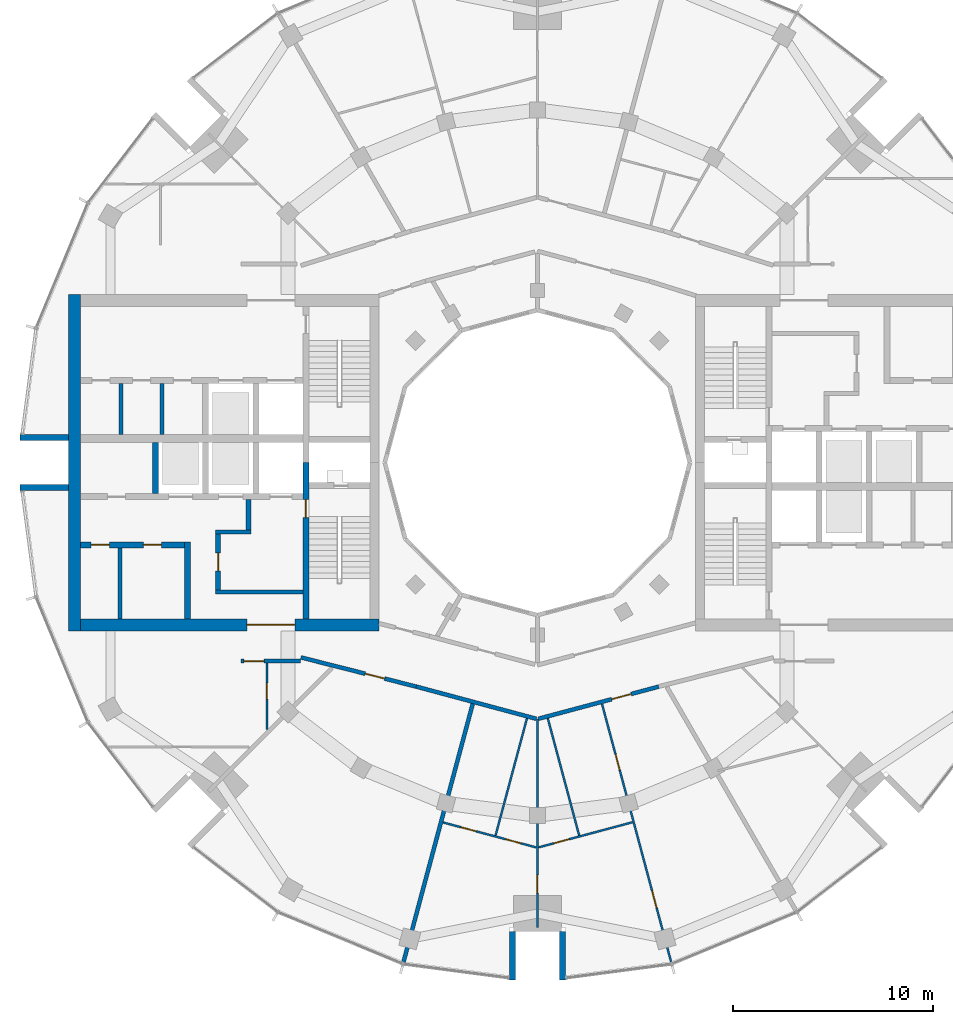
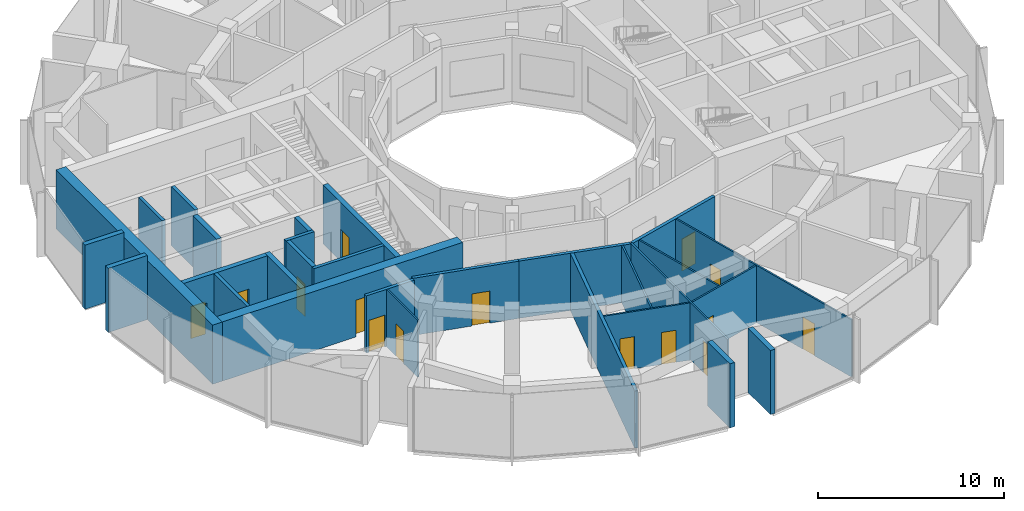
# One storey, part 8 of 15: 29 walls, 15 doors, 15 openings.
"""IFC4 building model written with IfcOpenShell, lengths in metres."""

from ifc_helpers import new_model, si_unit, direction, frame, frame_2d, origin, place, context, subcontext, project, spatial, rectangle, extrude, material, layer, layer_set, type_object, element, fill, save


model = new_model("IFC4")

# Units and contexts
model_context = context("Model", 3, precision=1e-05, world=origin(), true_north=direction((0.0, 1.0)))
body_context = subcontext(model_context, "Body", "Model", "MODEL_VIEW")
ifc_project = project(units=[si_unit("LENGTHUNIT", "METRE"), si_unit("AREAUNIT", "SQUARE_METRE"), si_unit("VOLUMEUNIT", "CUBIC_METRE"), si_unit("PLANEANGLEUNIT", "RADIAN"), si_unit("MASSUNIT", "GRAM", prefix="KILO")], contexts=[model_context])

# Site, building, storey
site_placement = place(None, origin())
site = spatial("IfcSite", under=ifc_project, at=site_placement, CompositionType="ELEMENT")
building_placement = place(site_placement, origin())
building = spatial("IfcBuilding", under=site, at=building_placement, Name="Torre Brocal", CompositionType="ELEMENT")
storey_placement = place(building_placement, frame((0.0, 0.0, 262.5)))
storey = spatial("IfcBuildingStorey", under=building, at=storey_placement, Name="L60", CompositionType="ELEMENT", Elevation=262.5)

# Walls
ifc_material_1 = material(Name="Masonry block", Category="masonry")
ifc_layer_1 = layer(ifc_material_1, 0.199951171875)
ifc_layer_set_1 = layer_set([ifc_layer_1], Name="Masonry block")
wall_type_1 = type_object("IfcWallType", Name="CORE PARTITION 200", PredefinedType="PARTITIONING", material=ifc_layer_set_1)
for number, where, z_axis, x_axis, name in (
    (1, (61.2666015625, 78.949951171875, 0.0), (0.0, 0.0, 1.0), (0.0, -1.0, 0.0), "Wall CP200"),
    (2, (59.2333984375, 78.949951171875, 0.0), (0.0, 0.0, 1.0), (0.0, -1.0, 0.0), "Wall CP200"),
):
    element("IfcWall", number, at=place(storey_placement, frame(where, z_axis=z_axis, x_axis=x_axis)), inside=storey, type_object=wall_type_1, Name=name, PredefinedType="PARTITIONING", context=body_context, shape_type="SweptSolid", body=[
        extrude(rectangle(XDim=2.550048828125, YDim=0.199951171875, at=frame_2d((1.27490234375, 0.0))), origin(), (0.0, 0.0, 1.0), 3.8798828125),
    ])
wall_1_placement = place(storey_placement, frame((59.176025390625, 70.75, 0.0), z_axis=(0.0, 0.0, 1.0), x_axis=(0.0, -1.0, 0.0)))
element("IfcWall", 3, at=wall_1_placement, inside=storey, type_object=wall_type_1, Name="Wall CP200", PredefinedType="PARTITIONING", context=body_context, shape_type="SweptSolid", body=[
    extrude(rectangle(XDim=3.550048828125, YDim=0.199951171875, at=frame_2d((1.77490234375, 0.0))), origin(), (0.0, 0.0, 1.0), 3.8798828125),
])
ifc_material_2 = material(Name="Concrete C60", Category="concrete")
ifc_layer_2 = layer(ifc_material_2, 0.199951171875)
ifc_layer_set_2 = layer_set([ifc_layer_2], Name="Concrete C60")
wall_type_2 = type_object("IfcWallType", Name="CORE WALL 200 C60", PredefinedType="SHEAR", material=ifc_layer_set_2)
wall_2_placement = place(storey_placement, frame((68.300048828125, 68.550048828125, 0.0), z_axis=(0.0, 0.0, 1.0), x_axis=(-1.0, 0.0, 0.0)))
element("IfcWall", 4, at=wall_2_placement, inside=storey, type_object=wall_type_2, Name="Wall CW200-60", PredefinedType="SHEAR", context=body_context, shape_type="SweptSolid", body=[
    extrude(rectangle(XDim=4.35009765625, YDim=0.199951171875, at=frame_2d((2.175048828125, 0.0))), origin(), (0.0, 0.0, 1.0), 3.8798828125),
])
wall_3_placement = place(storey_placement, frame((65.699951171875, 71.550048828125, 0.0), z_axis=(0.0, 0.0, 1.0), x_axis=(-1.0, 0.0, 0.0)))
element("IfcWall", 5, at=wall_3_placement, inside=storey, type_object=wall_type_2, Name="Wall CW200-60", PredefinedType="SHEAR", context=body_context, shape_type="SweptSolid", body=[
    extrude(rectangle(XDim=1.75, YDim=0.199951171875, at=frame_2d((0.875, 0.0))), origin(), (0.0, 0.0, 1.0), 3.8798828125),
])

# Wall, opening, door
ifc_material_3 = material(Name="Concrete C60", Category="concrete")
ifc_layer_3 = layer(ifc_material_3, 0.25)
ifc_layer_set_3 = layer_set([ifc_layer_3], Name="Concrete C60")
wall_type_3 = type_object("IfcWallType", Name="CORE WALL 250 C60", PredefinedType="SHEAR", material=ifc_layer_set_3)
wall_4_placement = place(storey_placement, frame((64.074951171875, 71.449951171875, 0.0), z_axis=(0.0, 0.0, 1.0), x_axis=(0.0, -1.0, 0.0)))
wall_4 = element("IfcWall", 6, at=wall_4_placement, inside=storey, type_object=wall_type_3, Name="Wall CW250-60", PredefinedType="SHEAR", context=body_context, shape_type="SweptSolid", body=[
    extrude(rectangle(XDim=2.800048828125, YDim=0.25, at=frame_2d((1.39990234375, 0.0))), origin(), (0.0, 0.0, 1.0), 3.8798828125),
])
opening_1_placement = place(wall_4_placement, frame((0.949951171875, 0.0, 0.0)))
opening_1 = element("IfcOpeningElement", 7, at=opening_1_placement, cuts=wall_4, Name="Opening W-D08", PredefinedType="OPENING", context=body_context, shape_type="SweptSolid", body=[
    extrude(rectangle(XDim=0.89990234375, YDim=2.10009765625, at=frame_2d((0.449951171875, 1.050048828125))), frame((0.0, 0.135009765625, 0.0), z_axis=(0.0, -1.0, 0.0), x_axis=(1.0, 0.0, 0.0)), (0.0, 0.0, 1.0), 0.27001953125),
])
ifc_material_4 = material(Name="Steel A653", Category="steel")
door_type_1 = type_object("IfcDoorType", Name="LOBBY DOOR FD120 900X2100", OperationType="SINGLE_SWING_RIGHT", PredefinedType="DOOR", material=ifc_material_4)
door_1_placement = place(opening_1_placement, origin())
door_1 = element("IfcDoor", 8, at=door_1_placement, inside=storey, type_object=door_type_1, Name="Door W-D08", OperationType="SINGLE_SWING_LEFT", OverallHeight=2.10009765625, OverallWidth=0.89990234375, PredefinedType="DOOR", context=body_context, shape_type="SweptSolid", body=[
    extrude(rectangle(XDim=0.89990234375, YDim=2.10009765625, at=frame_2d((0.449951171875, 1.050048828125))), frame((0.0, 0.02490234375, 0.0), z_axis=(0.0, -1.0, 0.0), x_axis=(1.0, 0.0, 0.0)), (0.0, 0.0, 1.0), 0.050048828125),
])
fill(opening_1, door_1)

# Wall
wall_5_placement = place(storey_placement, frame((65.574951171875, 73.14990234375, 0.0), z_axis=(0.0, 0.0, 1.0), x_axis=(0.0, -1.0, 0.0)))
element("IfcWall", 9, at=wall_5_placement, inside=storey, type_object=wall_type_3, Name="Wall CW250-60", PredefinedType="SHEAR", context=body_context, shape_type="SweptSolid", body=[
    extrude(rectangle(XDim=1.5, YDim=0.25, at=frame_2d((0.75, 0.0))), origin(), (0.0, 0.0, 1.0), 3.8798828125),
])

# Wall, opening, door
ifc_material_5 = material(Name="Concrete C60", Category="concrete")
ifc_layer_4 = layer(ifc_material_5, 0.300048828125)
ifc_layer_set_4 = layer_set([ifc_layer_4], Name="Concrete C60")
wall_type_4 = type_object("IfcWallType", Name="CORE WALL 300 C60", PredefinedType="SHEAR", material=ifc_layer_set_4)
wall_6_placement = place(storey_placement, frame((68.449951171875, 75.0, 0.0), z_axis=(0.0, 0.0, 1.0), x_axis=(0.0, -1.0, 0.0)))
wall_6 = element("IfcWall", 10, at=wall_6_placement, inside=storey, type_object=wall_type_4, Name="Wall CW300-60", PredefinedType="SHEAR", context=body_context, shape_type="SweptSolid", body=[
    extrude(rectangle(XDim=7.800048828125, YDim=0.300048828125, at=frame_2d((3.89990234375, 0.0))), origin(), (0.0, 0.0, 1.0), 3.8798828125),
])
opening_2_placement = place(wall_6_placement, frame((1.85009765625, 0.0, 0.0)))
opening_2 = element("IfcOpeningElement", 11, at=opening_2_placement, cuts=wall_6, Name="Opening W-D02", PredefinedType="OPENING", context=body_context, shape_type="SweptSolid", body=[
    extrude(rectangle(XDim=0.89990234375, YDim=2.10009765625, at=frame_2d((0.449951171875, 1.050048828125))), frame((0.0, 0.159912109375, 0.0), z_axis=(0.0, -1.0, 0.0), x_axis=(1.0, 0.0, 0.0)), (0.0, 0.0, 1.0), 0.320068359375),
])
ifc_material_6 = material(Name="Steel A653", Category="steel")
door_type_2 = type_object("IfcDoorType", Name="STAIR DOOR FD120 900X2100", OperationType="SINGLE_SWING_RIGHT", PredefinedType="DOOR", material=ifc_material_6)
door_2_placement = place(opening_2_placement, origin())
door_2 = element("IfcDoor", 12, at=door_2_placement, inside=storey, type_object=door_type_2, Name="Door W-D02", OperationType="SINGLE_SWING_LEFT", OverallHeight=2.10009765625, OverallWidth=0.89990234375, PredefinedType="DOOR", context=body_context, shape_type="SweptSolid", body=[
    extrude(rectangle(XDim=0.89990234375, YDim=2.10009765625, at=frame_2d((0.449951171875, 1.050048828125))), frame((0.0, 0.02490234375, 0.0), z_axis=(0.0, -1.0, 0.0), x_axis=(1.0, 0.0, 0.0)), (0.0, 0.0, 1.0), 0.050048828125),
])
fill(opening_2, door_2)

# Walls
wall_7_placement = place(storey_placement, frame((60.949951171875, 76.0, 0.0), z_axis=(0.0, 0.0, 1.0), x_axis=(0.0, -1.0, 0.0)))
element("IfcWall", 13, at=wall_7_placement, inside=storey, type_object=wall_type_4, Name="Wall CW300-60", PredefinedType="SHEAR", context=body_context, shape_type="SweptSolid", body=[
    extrude(rectangle(XDim=2.550048828125, YDim=0.300048828125, at=frame_2d((1.27490234375, 0.0))), origin(), (0.0, 0.0, 1.0), 3.8798828125),
])
wall_8_placement = place(storey_placement, frame((62.550048828125, 71.050048828125, 0.0), z_axis=(0.0, 0.0, 1.0), x_axis=(0.0, -1.0, 0.0)))
element("IfcWall", 14, at=wall_8_placement, inside=storey, type_object=wall_type_4, Name="Wall CW300-60", PredefinedType="SHEAR", context=body_context, shape_type="SweptSolid", body=[
    extrude(rectangle(XDim=3.85009765625, YDim=0.300048828125, at=frame_2d((1.925048828125, 0.0))), origin(), (0.0, 0.0, 1.0), 3.8798828125),
])

# Wall, openings, doors
wall_9_placement = place(storey_placement, frame((62.39990234375, 70.89990234375, 0.0), z_axis=(0.0, 0.0, 1.0), x_axis=(-1.0, 0.0, 0.0)))
wall_9 = element("IfcWall", 15, at=wall_9_placement, inside=storey, type_object=wall_type_4, Name="Wall CW300-60", PredefinedType="SHEAR", context=body_context, shape_type="SweptSolid", body=[
    extrude(rectangle(XDim=5.199951171875, YDim=0.300048828125, at=frame_2d((2.60009765625, 0.0))), origin(), (0.0, 0.0, 1.0), 3.8798828125),
])
opening_3_placement = place(wall_9_placement, frame((1.162109375, 0.0, 0.0)))
opening_3 = element("IfcOpeningElement", 16, at=opening_3_placement, cuts=wall_9, Name="Opening W-D09", PredefinedType="OPENING", context=body_context, shape_type="SweptSolid", body=[
    extrude(rectangle(XDim=0.89990234375, YDim=2.10009765625, at=frame_2d((0.449951171875, 1.050048828125))), frame((0.0, 0.159912109375, 0.0), z_axis=(0.0, -1.0, 0.0), x_axis=(1.0, 0.0, 0.0)), (0.0, 0.0, 1.0), 0.320068359375),
])
opening_4_placement = place(wall_9_placement, frame((3.761962890625, 0.0, 0.0)))
opening_4 = element("IfcOpeningElement", 17, at=opening_4_placement, cuts=wall_9, Name="Opening W-D10", PredefinedType="OPENING", context=body_context, shape_type="SweptSolid", body=[
    extrude(rectangle(XDim=0.89990234375, YDim=2.10009765625, at=frame_2d((0.449951171875, 1.050048828125))), frame((0.0, 0.159912109375, 0.0), z_axis=(0.0, -1.0, 0.0), x_axis=(1.0, 0.0, 0.0)), (0.0, 0.0, 1.0), 0.320068359375),
])
ifc_material_7 = material(Name="Steel A653", Category="steel")
door_type_3 = type_object("IfcDoorType", Name="ROOM DOOR FD30S 900X2100", OperationType="SINGLE_SWING_LEFT", PredefinedType="DOOR", material=ifc_material_7)
door_3_placement = place(opening_3_placement, origin())
door_3 = element("IfcDoor", 18, at=door_3_placement, inside=storey, type_object=door_type_3, Name="Door W-D09", OperationType="SINGLE_SWING_RIGHT", OverallHeight=2.10009765625, OverallWidth=0.89990234375, PredefinedType="DOOR", context=body_context, shape_type="SweptSolid", body=[
    extrude(rectangle(XDim=0.89990234375, YDim=2.10009765625, at=frame_2d((0.449951171875, 1.050048828125))), frame((0.0, 0.02490234375, 0.0), z_axis=(0.0, -1.0, 0.0), x_axis=(1.0, 0.0, 0.0)), (0.0, 0.0, 1.0), 0.050048828125),
])
fill(opening_3, door_3)
door_4_placement = place(opening_4_placement, origin())
door_4 = element("IfcDoor", 19, at=door_4_placement, inside=storey, type_object=door_type_3, Name="Door W-D10", OperationType="SINGLE_SWING_LEFT", OverallHeight=2.10009765625, OverallWidth=0.89990234375, PredefinedType="DOOR", context=body_context, shape_type="SweptSolid", body=[
    extrude(rectangle(XDim=0.89990234375, YDim=2.10009765625, at=frame_2d((0.449951171875, 1.050048828125))), frame((0.0, 0.02490234375, 0.0), z_axis=(0.0, -1.0, 0.0), x_axis=(1.0, 0.0, 0.0)), (0.0, 0.0, 1.0), 0.050048828125),
])
fill(opening_4, door_4)

# Wall, opening, door
ifc_material_8 = material(Name="Concrete C60", Category="concrete")
ifc_layer_5 = layer(ifc_material_8, 0.60009765625)
ifc_layer_set_5 = layer_set([ifc_layer_5], Name="Concrete C60")
wall_type_5 = type_object("IfcWallType", Name="CORE WALL 600 C60", PredefinedType="SHEAR", material=ifc_layer_set_5)
wall_10_placement = place(storey_placement, frame((72.10009765625, 66.89990234375, 0.0), z_axis=(0.0, 0.0, 1.0), x_axis=(-1.0, 0.0, 0.0)))
wall_10 = element("IfcWall", 20, at=wall_10_placement, inside=storey, type_object=wall_type_5, Name="Wall CW600-60", PredefinedType="SHEAR", context=body_context, shape_type="SweptSolid", body=[
    extrude(rectangle(XDim=14.900146484375, YDim=0.60009765625, at=frame_2d((7.4501953125, 0.0))), origin(), (0.0, 0.0, 1.0), 3.8798828125),
])
opening_5_placement = place(wall_10_placement, frame((4.199951171875, 0.0, 0.0)))
opening_5 = element("IfcOpeningElement", 21, at=opening_5_placement, cuts=wall_10, Name="Opening W-D34", PredefinedType="OPENING", context=body_context, shape_type="SweptSolid", body=[
    extrude(rectangle(XDim=2.39990234375, YDim=2.39990234375, at=frame_2d((1.199951171875, 1.199951171875))), frame((0.0, 0.31005859375, 0.0), z_axis=(0.0, -1.0, 0.0), x_axis=(1.0, 0.0, 0.0)), (0.0, 0.0, 1.0), 0.6201171875),
])
ifc_material_9 = material(Name="Steel A653", Category="steel")
door_type_4 = type_object("IfcDoorType", Name="DOUBLE FIRE DOOR FD90 2400X2400", OperationType="DOUBLE_DOOR_SINGLE_SWING", PredefinedType="DOOR", material=ifc_material_9)
door_5_placement = place(opening_5_placement, frame((2.39990234375, 0.0, 0.0), z_axis=(0.0, 0.0, 1.0), x_axis=(-1.0, 0.0, 0.0)))
door_5 = element("IfcDoor", 22, at=door_5_placement, inside=storey, type_object=door_type_4, Name="Door W-D34", OperationType="DOUBLE_DOOR_SINGLE_SWING", OverallHeight=2.39990234375, OverallWidth=2.39990234375, PredefinedType="DOOR", context=body_context, shape_type="SweptSolid", body=[
    extrude(rectangle(XDim=2.39990234375, YDim=2.39990234375, at=frame_2d((1.199951171875, 1.199951171875))), frame((0.0, 0.02490234375, 0.0), z_axis=(0.0, -1.0, 0.0), x_axis=(1.0, 0.0, 0.0)), (0.0, 0.0, 1.0), 0.050048828125),
])
fill(opening_5, door_5)

# Walls
wall_11_placement = place(storey_placement, frame((56.89990234375, 83.39990234375, 0.0), z_axis=(0.0, 0.0, 1.0), x_axis=(0.0, -1.0, 0.0)))
element("IfcWall", 23, at=wall_11_placement, inside=storey, type_object=wall_type_5, Name="Wall CW600-60", PredefinedType="SHEAR", context=body_context, shape_type="SweptSolid", body=[
    extrude(rectangle(XDim=16.7998046875, YDim=0.60009765625, at=frame_2d((8.39990234375, 0.0))), origin(), (0.0, 0.0, 1.0), 3.8798828125),
])
ifc_material_10 = material(Name="Concrete C60", Category="concrete")
ifc_layer_6 = layer(ifc_material_10, 0.300048828125)
ifc_layer_set_6 = layer_set([ifc_layer_6], Name="Concrete C60")
wall_type_6 = type_object("IfcWallType", Name="NOTCH RETURN WALL 300 C60", PredefinedType="NOTDEFINED", material=ifc_layer_set_6)
for number, where, z_axis, x_axis, name in (
    (24, (56.60009765625, 76.25, 0.0), (0.0, 0.0, 1.0), (-1.0, 0.0, 0.0), "NOTCH RETURN WALL"),
    (25, (56.60009765625, 73.75, 0.0), (0.0, 0.0, 1.0), (-1.0, 0.0, 0.0), "NOTCH RETURN WALL"),
    (26, (78.75, 51.60009765625, 0.0), (0.0, 0.0, 1.0), (0.0, -1.0, 0.0), "NOTCH RETURN WALL"),
    (27, (81.25, 51.60009765625, 0.0), (0.0, 0.0, 1.0), (0.0, -1.0, 0.0), "NOTCH RETURN WALL"),
):
    element("IfcWall", number, at=place(storey_placement, frame(where, z_axis=z_axis, x_axis=x_axis)), inside=storey, type_object=wall_type_6, Name=name, PredefinedType="NOTDEFINED", context=body_context, shape_type="SweptSolid", body=[
        extrude(rectangle(XDim=2.415771484375, YDim=0.300048828125, at=frame_2d((1.2080078125, 0.0))), origin(), (0.0, 0.0, 1.0), 4.199951171875),
    ])

# Wall, opening, door
ifc_material_11 = material(Name="Gypsum board", Category="Gypsum")
ifc_layer_7 = layer(ifc_material_11, 0.10009765625)
ifc_layer_set_7 = layer_set([ifc_layer_7], Name="Gypsum board")
wall_type_7 = type_object("IfcWallType", Name="PARTITION 100", PredefinedType="PARTITIONING", material=ifc_layer_set_7)
wall_12_placement = place(storey_placement, frame((66.5, 61.68994140625, 0.0), z_axis=(0.0, 0.0, 1.0), x_axis=(0.0, 1.0, 0.0)))
wall_12 = element("IfcWall", 28, at=wall_12_placement, inside=storey, type_object=wall_type_7, Name="BATHROOM WALL", PredefinedType="PARTITIONING", context=body_context, shape_type="SweptSolid", body=[
    extrude(rectangle(XDim=3.31005859375, YDim=0.10009765625, at=frame_2d((1.655029296875, 0.0))), origin(), (0.0, 0.0, 1.0), 3.75),
])
opening_6_placement = place(wall_12_placement, frame((1.510009765625, 0.0, 0.0)))
opening_6 = element("IfcOpeningElement", 29, at=opening_6_placement, cuts=wall_12, Name="Opening B05-D33", PredefinedType="OPENING", context=body_context, shape_type="SweptSolid", body=[
    extrude(rectangle(XDim=0.800048828125, YDim=2.10009765625, at=frame_2d((0.39990234375, 1.050048828125))), frame((0.0, 0.06005859375, 0.0), z_axis=(0.0, -1.0, 0.0), x_axis=(1.0, 0.0, 0.0)), (0.0, 0.0, 1.0), 0.1201171875),
])
ifc_material_12 = material(Name="Timber", Category="wood")
door_type_5 = type_object("IfcDoorType", Name="BATHROOM DOOR 800X2100", OperationType="SINGLE_SWING_LEFT", PredefinedType="DOOR", material=ifc_material_12)
door_6_placement = place(opening_6_placement, frame((0.800048828125, 0.0, 0.0), z_axis=(0.0, 0.0, 1.0), x_axis=(-1.0, 0.0, 0.0)))
door_6 = element("IfcDoor", 30, at=door_6_placement, inside=storey, type_object=door_type_5, Name="B05-D33", OperationType="SINGLE_SWING_LEFT", OverallHeight=2.10009765625, OverallWidth=0.800048828125, PredefinedType="DOOR", context=body_context, shape_type="SweptSolid", body=[
    extrude(rectangle(XDim=0.800048828125, YDim=2.10009765625, at=frame_2d((0.39990234375, 1.050048828125))), frame((0.0, 0.02490234375, 0.0), z_axis=(0.0, -1.0, 0.0), x_axis=(1.0, 0.0, 0.0)), (0.0, 0.0, 1.0), 0.050048828125),
])
fill(opening_6, door_6)

# Wall, openings, doors
wall_13_placement = place(storey_placement, frame((75.29296875, 57.046142578125, 0.0), z_axis=(0.0, 0.0, 1.0), x_axis=(0.965904119246, -0.258900043306, 0.0)))
wall_13 = element("IfcWall", 31, at=wall_13_placement, inside=storey, type_object=wall_type_7, Name="BATHROOM WALL", PredefinedType="PARTITIONING", context=body_context, shape_type="SweptSolid", body=[
    extrude(rectangle(XDim=4.81298828125, YDim=0.10009765625, at=frame_2d((2.406494140625, 0.0))), origin(), (0.0, 0.0, 1.0), 3.75),
])
opening_7_placement = place(wall_13_placement, frame((0.90966796875, 0.0, 0.0)))
opening_7 = element("IfcOpeningElement", 32, at=opening_7_placement, cuts=wall_13, Name="Opening B05-D28", PredefinedType="OPENING", context=body_context, shape_type="SweptSolid", body=[
    extrude(rectangle(XDim=0.800048828125, YDim=2.10009765625, at=frame_2d((0.39990234375, 1.050048828125))), frame((0.0, 0.06005859375, 0.0), z_axis=(0.0, -1.0, 0.0), x_axis=(1.0, 0.0, 0.0)), (0.0, 0.0, 1.0), 0.1201171875),
])
opening_8_placement = place(wall_13_placement, frame((3.226806640625, 0.0, 0.0)))
opening_8 = element("IfcOpeningElement", 33, at=opening_8_placement, cuts=wall_13, Name="Opening B05-D29", PredefinedType="OPENING", context=body_context, shape_type="SweptSolid", body=[
    extrude(rectangle(XDim=0.800048828125, YDim=2.10009765625, at=frame_2d((0.39990234375, 1.050048828125))), frame((0.0, 0.06005859375, 0.0), z_axis=(0.0, -1.0, 0.0), x_axis=(1.0, 0.0, 0.0)), (0.0, 0.0, 1.0), 0.1201171875),
])
door_7_placement = place(opening_7_placement, origin())
door_7 = element("IfcDoor", 34, at=door_7_placement, inside=storey, type_object=door_type_5, Name="B05-D28", OperationType="SINGLE_SWING_LEFT", OverallHeight=2.10009765625, OverallWidth=0.800048828125, PredefinedType="DOOR", context=body_context, shape_type="SweptSolid", body=[
    extrude(rectangle(XDim=0.800048828125, YDim=2.10009765625, at=frame_2d((0.39990234375, 1.050048828125))), frame((0.0, 0.02490234375, 0.0), z_axis=(0.0, -1.0, 0.0), x_axis=(1.0, 0.0, 0.0)), (0.0, 0.0, 1.0), 0.050048828125),
])
fill(opening_7, door_7)
door_8_placement = place(opening_8_placement, frame((0.800048828125, 0.0, 0.0), z_axis=(0.0, 0.0, 1.0), x_axis=(-1.0, 0.0, 0.0)))
door_8 = element("IfcDoor", 35, at=door_8_placement, inside=storey, type_object=door_type_5, Name="B05-D29", OperationType="SINGLE_SWING_LEFT", OverallHeight=2.10009765625, OverallWidth=0.800048828125, PredefinedType="DOOR", context=body_context, shape_type="SweptSolid", body=[
    extrude(rectangle(XDim=0.800048828125, YDim=2.10009765625, at=frame_2d((0.39990234375, 1.050048828125))), frame((0.0, 0.02490234375, 0.0), z_axis=(0.0, -1.0, 0.0), x_axis=(1.0, 0.0, 0.0)), (0.0, 0.0, 1.0), 0.050048828125),
])
fill(opening_8, door_8)

# Wall
wall_14_placement = place(storey_placement, frame((77.9140625, 56.3955078125, 0.0), z_axis=(0.0, 0.0, 1.0), x_axis=(0.258822816874, 0.965924815638, 0.0)))
element("IfcWall", 36, at=wall_14_placement, inside=storey, type_object=wall_type_7, Name="BATHROOM WALL", PredefinedType="PARTITIONING", context=body_context, shape_type="SweptSolid", body=[
    extrude(rectangle(XDim=6.050048828125, YDim=0.10009765625, at=frame_2d((3.02490234375, 0.0))), origin(), (0.0, 0.0, 1.0), 3.75),
])

# Wall, opening, door
wall_15_placement = place(storey_placement, frame((80.0, 51.800048828125, 0.0), z_axis=(0.0, 0.0, 1.0), x_axis=(0.0, 1.0, 0.0)))
wall_15 = element("IfcWall", 37, at=wall_15_placement, inside=storey, type_object=wall_type_7, Name="BATHROOM WALL", PredefinedType="PARTITIONING", context=body_context, shape_type="SweptSolid", body=[
    extrude(rectangle(XDim=10.404052734375, YDim=0.10009765625, at=frame_2d((5.2021484375, 0.0))), origin(), (0.0, 0.0, 1.0), 3.75),
])
opening_9_placement = place(wall_15_placement, frame((1.717529296875, 0.0, 0.0)))
opening_9 = element("IfcOpeningElement", 38, at=opening_9_placement, cuts=wall_15, Name="Opening B05-D27", PredefinedType="OPENING", context=body_context, shape_type="SweptSolid", body=[
    extrude(rectangle(XDim=0.89990234375, YDim=2.10009765625, at=frame_2d((0.449951171875, 1.050048828125))), frame((0.0, 0.06005859375, 0.0), z_axis=(0.0, -1.0, 0.0), x_axis=(1.0, 0.0, 0.0)), (0.0, 0.0, 1.0), 0.1201171875),
])
ifc_material_13 = material(Name="Timber", Category="wood")
door_type_6 = type_object("IfcDoorType", Name="ROOM DOOR 900X2100", OperationType="SINGLE_SWING_LEFT", PredefinedType="DOOR", material=ifc_material_13)
door_9_placement = place(opening_9_placement, frame((0.89990234375, 0.0, 0.0), z_axis=(0.0, 0.0, 1.0), x_axis=(-1.0, 0.0, 0.0)))
door_9 = element("IfcDoor", 39, at=door_9_placement, inside=storey, type_object=door_type_6, Name="B05-D27", OperationType="SINGLE_SWING_LEFT", OverallHeight=2.10009765625, OverallWidth=0.89990234375, PredefinedType="DOOR", context=body_context, shape_type="SweptSolid", body=[
    extrude(rectangle(XDim=0.89990234375, YDim=2.10009765625, at=frame_2d((0.449951171875, 1.050048828125))), frame((0.0, 0.02490234375, 0.0), z_axis=(0.0, -1.0, 0.0), x_axis=(1.0, 0.0, 0.0)), (0.0, 0.0, 1.0), 0.050048828125),
])
fill(opening_9, door_9)

wall_16_placement = place(storey_placement, frame((80.057861328125, 55.800537109375, 0.0), z_axis=(0.0, 0.0, 1.0), x_axis=(0.965968926881, 0.258658137896, 0.0)))
wall_16 = element("IfcWall", 40, at=wall_16_placement, inside=storey, type_object=wall_type_7, Name="BATHROOM WALL", PredefinedType="PARTITIONING", context=body_context, shape_type="SweptSolid", body=[
    extrude(rectangle(XDim=4.853515625, YDim=0.10009765625, at=frame_2d((2.4267578125, 0.0))), origin(), (0.0, 0.0, 1.0), 3.75),
])
opening_10_placement = place(wall_16_placement, frame((0.786376953125, 0.0, 0.0)))
opening_10 = element("IfcOpeningElement", 41, at=opening_10_placement, cuts=wall_16, Name="Opening B05-D25", PredefinedType="OPENING", context=body_context, shape_type="SweptSolid", body=[
    extrude(rectangle(XDim=0.800048828125, YDim=2.10009765625, at=frame_2d((0.39990234375, 1.050048828125))), frame((0.0, 0.06005859375, 0.0), z_axis=(0.0, -1.0, 0.0), x_axis=(1.0, 0.0, 0.0)), (0.0, 0.0, 1.0), 0.1201171875),
])
door_10_placement = place(opening_10_placement, origin())
door_10 = element("IfcDoor", 42, at=door_10_placement, inside=storey, type_object=door_type_5, Name="B05-D25", OperationType="SINGLE_SWING_RIGHT", OverallHeight=2.10009765625, OverallWidth=0.800048828125, PredefinedType="DOOR", context=body_context, shape_type="SweptSolid", body=[
    extrude(rectangle(XDim=0.800048828125, YDim=2.10009765625, at=frame_2d((0.39990234375, 1.050048828125))), frame((0.0, 0.02490234375, 0.0), z_axis=(0.0, -1.0, 0.0), x_axis=(1.0, 0.0, 0.0)), (0.0, 0.0, 1.0), 0.050048828125),
])
fill(opening_10, door_10)

# Wall
wall_17_placement = place(storey_placement, frame((80.52001953125, 62.239501953125, 0.0), z_axis=(0.0, 0.0, 1.0), x_axis=(0.258822816874, -0.965924815638, 0.0)))
element("IfcWall", 43, at=wall_17_placement, inside=storey, type_object=wall_type_7, Name="BATHROOM WALL", PredefinedType="PARTITIONING", context=body_context, shape_type="SweptSolid", body=[
    extrude(rectangle(XDim=6.050048828125, YDim=0.10009765625, at=frame_2d((3.02490234375, 0.0))), origin(), (0.0, 0.0, 1.0), 3.75),
])

# Wall, openings, doors
wall_18_placement = place(storey_placement, frame((83.226318359375, 62.954345703125, 0.0), z_axis=(0.0, 0.0, 1.0), x_axis=(0.258737611245, -0.965947642746, 0.0)))
wall_18 = element("IfcWall", 44, at=wall_18_placement, inside=storey, type_object=wall_type_7, Name="BATHROOM WALL", PredefinedType="PARTITIONING", context=body_context, shape_type="SweptSolid", body=[
    extrude(rectangle(XDim=13.328125, YDim=0.10009765625, at=frame_2d((6.6640625, 0.0))), origin(), (0.0, 0.0, 1.0), 3.75),
])
opening_11_placement = place(wall_18_placement, frame((9.6337890625, 0.0, 0.0)))
opening_11 = element("IfcOpeningElement", 45, at=opening_11_placement, cuts=wall_18, Name="Opening B05-D24", PredefinedType="OPENING", context=body_context, shape_type="SweptSolid", body=[
    extrude(rectangle(XDim=0.89990234375, YDim=2.10009765625, at=frame_2d((0.449951171875, 1.050048828125))), frame((0.0, 0.06005859375, 0.0), z_axis=(0.0, -1.0, 0.0), x_axis=(1.0, 0.0, 0.0)), (0.0, 0.0, 1.0), 0.1201171875),
])
opening_12_placement = place(wall_18_placement, frame((2.60009765625, 0.0, 0.0)))
opening_12 = element("IfcOpeningElement", 46, at=opening_12_placement, cuts=wall_18, Name="Opening B05-D26", PredefinedType="OPENING", context=body_context, shape_type="SweptSolid", body=[
    extrude(rectangle(XDim=0.800048828125, YDim=2.10009765625, at=frame_2d((0.39990234375, 1.050048828125))), frame((0.0, 0.06005859375, 0.0), z_axis=(0.0, -1.0, 0.0), x_axis=(1.0, 0.0, 0.0)), (0.0, 0.0, 1.0), 0.1201171875),
])
door_11_placement = place(opening_12_placement, frame((0.800048828125, 0.0, 0.0), z_axis=(0.0, 0.0, 1.0), x_axis=(-1.0, 0.0, 0.0)))
door_11 = element("IfcDoor", 47, at=door_11_placement, inside=storey, type_object=door_type_5, Name="B05-D26", OperationType="SINGLE_SWING_LEFT", OverallHeight=2.10009765625, OverallWidth=0.800048828125, PredefinedType="DOOR", context=body_context, shape_type="SweptSolid", body=[
    extrude(rectangle(XDim=0.800048828125, YDim=2.10009765625, at=frame_2d((0.39990234375, 1.050048828125))), frame((0.0, 0.02490234375, 0.0), z_axis=(0.0, -1.0, 0.0), x_axis=(1.0, 0.0, 0.0)), (0.0, 0.0, 1.0), 0.050048828125),
])
fill(opening_12, door_11)
door_12_placement = place(opening_11_placement, origin())
door_12 = element("IfcDoor", 48, at=door_12_placement, inside=storey, type_object=door_type_6, Name="B05-D24", OperationType="SINGLE_SWING_RIGHT", OverallHeight=2.10009765625, OverallWidth=0.89990234375, PredefinedType="DOOR", context=body_context, shape_type="SweptSolid", body=[
    extrude(rectangle(XDim=0.89990234375, YDim=2.10009765625, at=frame_2d((0.449951171875, 1.050048828125))), frame((0.0, 0.02490234375, 0.0), z_axis=(0.0, -1.0, 0.0), x_axis=(1.0, 0.0, 0.0)), (0.0, 0.0, 1.0), 0.050048828125),
])
fill(opening_11, door_12)

# Wall, opening, door
ifc_material_14 = material(Name="Gypsum board", Category="Gypsum")
ifc_layer_8 = layer(ifc_material_14, 0.199951171875)
ifc_layer_set_8 = layer_set([ifc_layer_8], Name="Gypsum board")
wall_type_8 = type_object("IfcWallType", Name="PARTITION 200 EI60", PredefinedType="PARTITIONING", material=ifc_layer_set_8)
wall_19_placement = place(storey_placement, frame((65.199951171875, 65.10009765625, 0.0), z_axis=(0.0, 0.0, 1.0), x_axis=(1.0, 0.0, 0.0)))
wall_19 = element("IfcWall", 49, at=wall_19_placement, inside=storey, type_object=wall_type_8, Name="FLAT ENTRANCE WALL", PredefinedType="PARTITIONING", context=body_context, shape_type="SweptSolid", body=[
    extrude(rectangle(XDim=2.97998046875, YDim=0.199951171875, at=frame_2d((1.489990234375, 0.0))), origin(), (0.0, 0.0, 1.0), 3.75),
])
opening_13_placement = place(wall_19_placement, frame((0.159912109375, 0.0, 0.0)))
opening_13 = element("IfcOpeningElement", 50, at=opening_13_placement, cuts=wall_19, Name="Opening B05-D32", PredefinedType="OPENING", context=body_context, shape_type="SweptSolid", body=[
    extrude(rectangle(XDim=1.0, YDim=2.10009765625, at=frame_2d((0.5, 1.050048828125))), frame((0.0, 0.10986328125, 0.0), z_axis=(0.0, -1.0, 0.0), x_axis=(1.0, 0.0, 0.0)), (0.0, 0.0, 1.0), 0.219970703125),
])
ifc_material_15 = material(Name="Timber", Category="wood")
door_type_7 = type_object("IfcDoorType", Name="FLAT ENTRY DOOR FD30S 1000X2100", OperationType="SINGLE_SWING_RIGHT", PredefinedType="DOOR", material=ifc_material_15)
door_13_placement = place(opening_13_placement, frame((1.0, 0.0, 0.0), z_axis=(0.0, 0.0, 1.0), x_axis=(-1.0, 0.0, 0.0)))
door_13 = element("IfcDoor", 51, at=door_13_placement, inside=storey, type_object=door_type_7, Name="B05-D32", OperationType="SINGLE_SWING_LEFT", OverallHeight=2.10009765625, OverallWidth=1.0, PredefinedType="DOOR", context=body_context, shape_type="SweptSolid", body=[
    extrude(rectangle(XDim=1.0, YDim=2.10009765625, at=frame_2d((0.5, 1.050048828125))), frame((0.0, 0.02490234375, 0.0), z_axis=(0.0, -1.0, 0.0), x_axis=(1.0, 0.0, 0.0)), (0.0, 0.0, 1.0), 0.050048828125),
])
fill(opening_13, door_13)

wall_20_placement = place(storey_placement, frame((68.2001953125, 65.2802734375, 0.0), z_axis=(0.0, 0.0, 1.0), x_axis=(0.969428528216, -0.245373854926, 0.0)))
wall_20 = element("IfcWall", 52, at=wall_20_placement, inside=storey, type_object=wall_type_8, Name="FLAT ENTRANCE WALL", PredefinedType="PARTITIONING", context=body_context, shape_type="SweptSolid", body=[
    extrude(rectangle(XDim=5.927978515625, YDim=0.199951171875, at=frame_2d((2.9638671875, 0.0))), origin(), (0.0, 0.0, 1.0), 3.75),
])
opening_14_placement = place(wall_20_placement, frame((3.308837890625, 0.0, 0.0)))
opening_14 = element("IfcOpeningElement", 53, at=opening_14_placement, cuts=wall_20, Name="Opening B05-D30", PredefinedType="OPENING", context=body_context, shape_type="SweptSolid", body=[
    extrude(rectangle(XDim=1.0, YDim=2.10009765625, at=frame_2d((0.5, 1.050048828125))), frame((0.0, 0.10986328125, 0.0), z_axis=(0.0, -1.0, 0.0), x_axis=(1.0, 0.0, 0.0)), (0.0, 0.0, 1.0), 0.219970703125),
])
door_14_placement = place(opening_14_placement, frame((1.0, 0.0, 0.0), z_axis=(0.0, 0.0, 1.0), x_axis=(-1.0, 0.0, 0.0)))
door_14 = element("IfcDoor", 54, at=door_14_placement, inside=storey, type_object=door_type_7, Name="B05-D30", OperationType="SINGLE_SWING_RIGHT", OverallHeight=2.10009765625, OverallWidth=1.0, PredefinedType="DOOR", context=body_context, shape_type="SweptSolid", body=[
    extrude(rectangle(XDim=1.0, YDim=2.10009765625, at=frame_2d((0.5, 1.050048828125))), frame((0.0, 0.02490234375, 0.0), z_axis=(0.0, -1.0, 0.0), x_axis=(1.0, 0.0, 0.0)), (0.0, 0.0, 1.0), 0.050048828125),
])
fill(opening_14, door_14)

# Walls
wall_21_placement = place(storey_placement, frame((73.3203125, 50.08154296875, 0.0), z_axis=(0.0, 0.0, 1.0), x_axis=(0.258966962665, 0.965886179758, 0.0)))
element("IfcWall", 55, at=wall_21_placement, inside=storey, type_object=wall_type_8, Name="BATHROOM WALL", PredefinedType="PARTITIONING", context=body_context, shape_type="SweptSolid", body=[
    extrude(rectangle(XDim=13.337158203125, YDim=0.199951171875, at=frame_2d((6.66845703125, 0.0))), origin(), (0.0, 0.0, 1.0), 3.75),
])
wall_22_placement = place(storey_placement, frame((73.947021484375, 63.826416015625, 0.0), z_axis=(0.0, 0.0, 1.0), x_axis=(0.965856500469, -0.259077634122, 0.0)))
element("IfcWall", 56, at=wall_22_placement, inside=storey, type_object=wall_type_8, Name="FLAT ENTRANCE WALL", PredefinedType="PARTITIONING", context=body_context, shape_type="SweptSolid", body=[
    extrude(rectangle(XDim=6.216552734375, YDim=0.199951171875, at=frame_2d((3.1083984375, 0.0))), origin(), (0.0, 0.0, 1.0), 3.75),
])

# Wall, opening, door
wall_23_placement = place(storey_placement, frame((80.048095703125, 62.21728515625, 0.0), z_axis=(0.0, 0.0, 1.0), x_axis=(0.966097920642, 0.258175923996, 0.0)))
wall_23 = element("IfcWall", 57, at=wall_23_placement, inside=storey, type_object=wall_type_8, Name="FLAT ENTRANCE WALL", PredefinedType="PARTITIONING", context=body_context, shape_type="SweptSolid", body=[
    extrude(rectangle(XDim=6.216552734375, YDim=0.199951171875, at=frame_2d((3.1083984375, 0.0))), origin(), (0.0, 0.0, 1.0), 3.75),
])
opening_15_placement = place(wall_23_placement, frame((3.792236328125, 0.0, 0.0)))
opening_15 = element("IfcOpeningElement", 58, at=opening_15_placement, cuts=wall_23, Name="Opening B05-D23", PredefinedType="OPENING", context=body_context, shape_type="SweptSolid", body=[
    extrude(rectangle(XDim=1.0, YDim=2.10009765625, at=frame_2d((0.5, 1.050048828125))), frame((0.0, 0.10986328125, 0.0), z_axis=(0.0, -1.0, 0.0), x_axis=(1.0, 0.0, 0.0)), (0.0, 0.0, 1.0), 0.219970703125),
])
door_15_placement = place(opening_15_placement, frame((1.0, 0.0, 0.0), z_axis=(0.0, 0.0, 1.0), x_axis=(-1.0, 0.0, 0.0)))
door_15 = element("IfcDoor", 59, at=door_15_placement, inside=storey, type_object=door_type_7, Name="B05-D23", OperationType="SINGLE_SWING_RIGHT", OverallHeight=2.10009765625, OverallWidth=1.0, PredefinedType="DOOR", context=body_context, shape_type="SweptSolid", body=[
    extrude(rectangle(XDim=1.0, YDim=2.10009765625, at=frame_2d((0.5, 1.050048828125))), frame((0.0, 0.02490234375, 0.0), z_axis=(0.0, -1.0, 0.0), x_axis=(1.0, 0.0, 0.0)), (0.0, 0.0, 1.0), 0.050048828125),
])
fill(opening_15, door_15)

save(model, "model.ifc")
